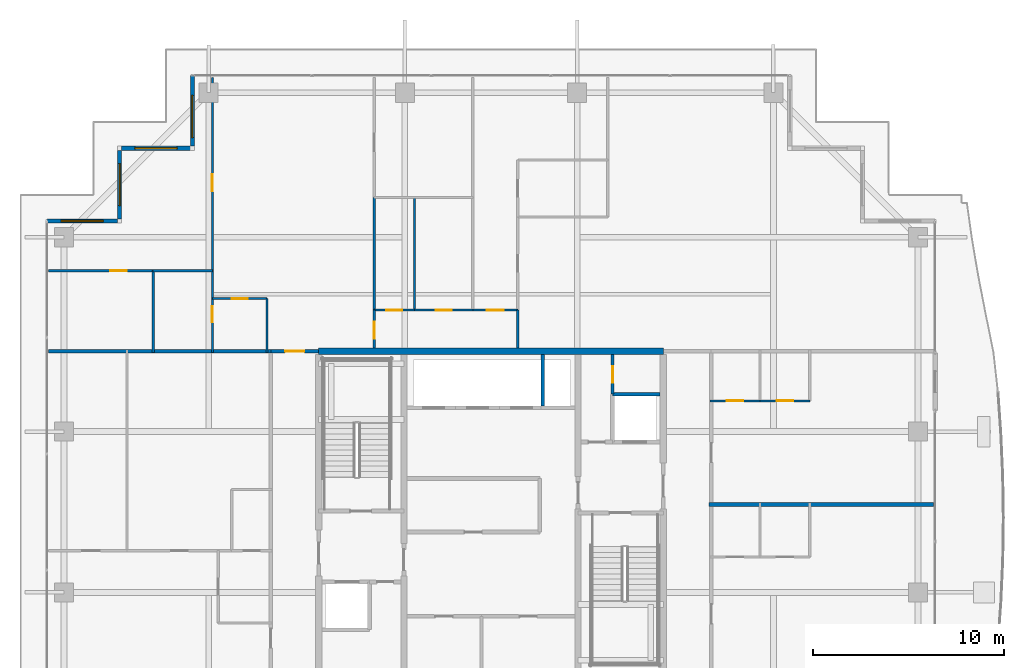
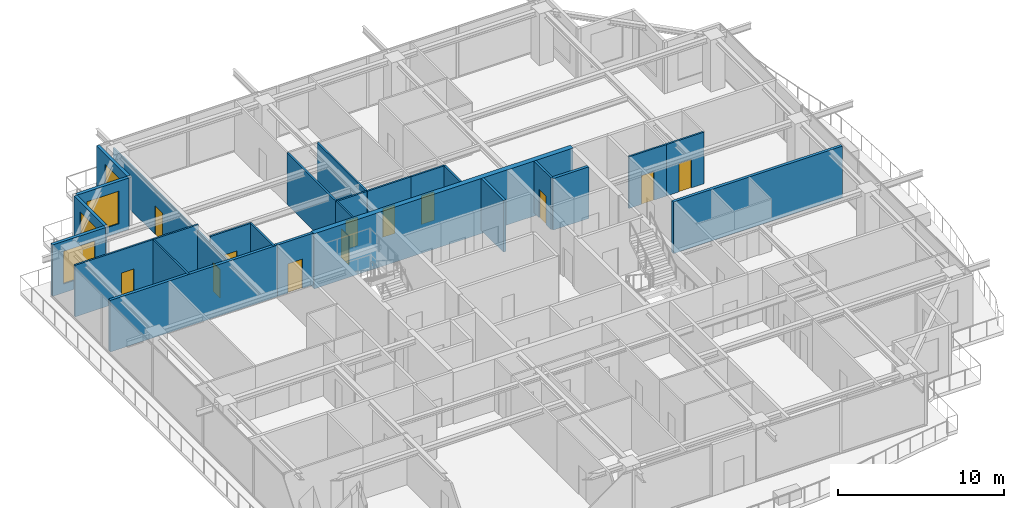
# One storey, part 34 of 42: 27 walls, 12 doors, 4 windows, 16 openings.
"""IFC4 building model written with IfcOpenShell, lengths in metres."""

from ifc_helpers import new_model, si_unit, direction, frame, frame_2d, origin, place, context, subcontext, project, spatial, rectangle, extrude, source, transform, mapped, material, layer, layer_set, type_object, element, fill, save


model = new_model("IFC4")

# Units and contexts
model_context = context("Model", 3, precision=1e-05, world=origin(), true_north=direction((0.0, 1.0)))
body_context = subcontext(model_context, "Body", "Model", "MODEL_VIEW")
ifc_project = project(units=[si_unit("LENGTHUNIT", "METRE"), si_unit("AREAUNIT", "SQUARE_METRE"), si_unit("VOLUMEUNIT", "CUBIC_METRE"), si_unit("PLANEANGLEUNIT", "RADIAN"), si_unit("MASSUNIT", "GRAM", prefix="KILO")], contexts=[model_context])

# Site, building, storey
site_placement = place(None, origin())
site = spatial("IfcSite", under=ifc_project, at=site_placement, CompositionType="ELEMENT")
building_placement = place(site_placement, origin())
building = spatial("IfcBuilding", under=site, at=building_placement, Name="Serunith Strait Residences", CompositionType="ELEMENT")
storey_placement = place(building_placement, frame((0.0, 0.0, 309.64990234375)))
storey = spatial("IfcBuildingStorey", under=building, at=storey_placement, Name="L77", CompositionType="ELEMENT", Elevation=309.64990234375)

# Wall, opening, window
ifc_material_1 = material(Name="Pale-Champagne Aluminium Insulated Panel", Category="aluminium")
ifc_layer_1 = layer(ifc_material_1, 0.219970703125, Name="Pale-Champagne Aluminium Insulated Panel")
ifc_layer_set_1 = layer_set([ifc_layer_1], Name="Pale-Champagne Aluminium Insulated Panel")
wall_type_1 = type_object("IfcWallType", Name="EW-ALUM-220", PredefinedType="ELEMENTEDWALL", material=ifc_layer_set_1)
wall_1_placement = place(storey_placement, frame((16.800048828125, 48.0, 0.0), z_axis=(0.0, 0.0, 1.0), x_axis=(0.0, -1.0, 0.0)))
wall_1 = element("IfcWall", 1, at=wall_1_placement, inside=storey, type_object=wall_type_1, Name="L77 Girih Serrated Corner Wall 12", PredefinedType="ELEMENTEDWALL", context=body_context, shape_type="SweptSolid", body=[
    extrude(rectangle(XDim=3.68994140625, YDim=0.219970703125, at=frame_2d((1.844970703125, 0.0))), origin(), (0.0, 0.0, 1.0), 3.775146484375),
])
opening_1_placement = place(wall_1_placement, frame((1.04296875, 0.0, 0.64990234375)))
opening_1 = element("IfcOpeningElement", 2, at=opening_1_placement, cuts=wall_1, Name="Opening W-06", PredefinedType="OPENING", context=body_context, shape_type="SweptSolid", body=[
    extrude(rectangle(XDim=2.199951171875, YDim=2.39990234375, at=frame_2d((1.10009765625, 1.199951171875))), frame((0.0, 0.1201171875, 0.0), z_axis=(0.0, -1.0, 0.0), x_axis=(1.0, 0.0, 0.0)), (0.0, 0.0, 1.0), 0.239990234375),
])
ifc_material_2 = material(Name="Crown Penthouse Low-E Operable Window Glass", Category="glass")
window_type = type_object("IfcWindowType", Name="WIN-C6", PartitioningType="TRIPLE_PANEL_VERTICAL", PredefinedType="WINDOW", material=ifc_material_2)
shared_shape_1 = source(origin(), body_context, "Body", "SweptSolid", [
    extrude(rectangle(XDim=2.199951171875, YDim=2.39990234375, at=frame_2d((1.10009765625, 1.199951171875))), frame((0.0, 0.030029296875, 0.0), z_axis=(0.0, -1.0, 0.0), x_axis=(1.0, 0.0, 0.0)), (0.0, 0.0, 1.0), 0.06005859375),
])
window_1_placement = place(opening_1_placement, origin())
window_1 = element("IfcWindow", 3, at=window_1_placement, inside=storey, type_object=window_type, Name="L77 Corner Operable Fritted Window 12", OverallHeight=2.39990234375, OverallWidth=2.199951171875, PartitioningType="SINGLE_PANEL", PredefinedType="WINDOW", context=body_context, shape_type="MappedRepresentation", body=[
    mapped(shared_shape_1, transform((0.0, 0.0, 0.0), scale=1.0)),
])
fill(opening_1, window_1)

wall_2_placement = place(storey_placement, frame((16.68994140625, 44.199951171875, 0.0), z_axis=(0.0, 0.0, 1.0), x_axis=(-1.0, 0.0, 0.0)))
wall_2 = element("IfcWall", 4, at=wall_2_placement, inside=storey, type_object=wall_type_1, Name="L77 Girih Serrated Corner Wall 13", PredefinedType="ELEMENTEDWALL", context=body_context, shape_type="SweptSolid", body=[
    extrude(rectangle(XDim=3.579833984375, YDim=0.219970703125, at=frame_2d((1.7900390625, 0.0))), origin(), (0.0, 0.0, 1.0), 3.775146484375),
])
opening_2_placement = place(wall_2_placement, frame((0.68994140625, 0.0, 0.64990234375)))
opening_2 = element("IfcOpeningElement", 5, at=opening_2_placement, cuts=wall_2, Name="Opening W-06", PredefinedType="OPENING", context=body_context, shape_type="SweptSolid", body=[
    extrude(rectangle(XDim=2.199951171875, YDim=2.39990234375, at=frame_2d((1.10009765625, 1.199951171875))), frame((0.0, 0.1201171875, 0.0), z_axis=(0.0, -1.0, 0.0), x_axis=(1.0, 0.0, 0.0)), (0.0, 0.0, 1.0), 0.239990234375),
])
window_2_placement = place(opening_2_placement, origin())
window_2 = element("IfcWindow", 6, at=window_2_placement, inside=storey, type_object=window_type, Name="L77 Corner Operable Fritted Window 13", OverallHeight=2.39990234375, OverallWidth=2.199951171875, PartitioningType="SINGLE_PANEL", PredefinedType="WINDOW", context=body_context, shape_type="MappedRepresentation", body=[
    mapped(shared_shape_1, transform((0.0, 0.0, 0.0), scale=1.0)),
])
fill(opening_2, window_2)

wall_3_placement = place(storey_placement, frame((13.0, 44.090087890625, 0.0), z_axis=(0.0, 0.0, 1.0), x_axis=(0.0, -1.0, 0.0)))
wall_3 = element("IfcWall", 7, at=wall_3_placement, inside=storey, type_object=wall_type_1, Name="L77 Girih Serrated Corner Wall 14", PredefinedType="ELEMENTEDWALL", context=body_context, shape_type="SweptSolid", body=[
    extrude(rectangle(XDim=3.580078125, YDim=0.219970703125, at=frame_2d((1.7900390625, 0.0))), origin(), (0.0, 0.0, 1.0), 3.775146484375),
])
opening_3_placement = place(wall_3_placement, frame((0.68994140625, 0.0, 0.64990234375)))
opening_3 = element("IfcOpeningElement", 8, at=opening_3_placement, cuts=wall_3, Name="Opening W-06", PredefinedType="OPENING", context=body_context, shape_type="SweptSolid", body=[
    extrude(rectangle(XDim=2.199951171875, YDim=2.39990234375, at=frame_2d((1.10009765625, 1.199951171875))), frame((0.0, 0.1201171875, 0.0), z_axis=(0.0, -1.0, 0.0), x_axis=(1.0, 0.0, 0.0)), (0.0, 0.0, 1.0), 0.239990234375),
])
window_3_placement = place(opening_3_placement, origin())
window_3 = element("IfcWindow", 9, at=window_3_placement, inside=storey, type_object=window_type, Name="L77 Corner Operable Fritted Window 14", OverallHeight=2.39990234375, OverallWidth=2.199951171875, PartitioningType="SINGLE_PANEL", PredefinedType="WINDOW", context=body_context, shape_type="MappedRepresentation", body=[
    mapped(shared_shape_1, transform((0.0, 0.0, 0.0), scale=1.0)),
])
fill(opening_3, window_3)

wall_4_placement = place(storey_placement, frame((12.889892578125, 40.39990234375, 0.0), z_axis=(0.0, 0.0, 1.0), x_axis=(-1.0, 0.0, 0.0)))
wall_4 = element("IfcWall", 10, at=wall_4_placement, inside=storey, type_object=wall_type_1, Name="L77 Girih Serrated Corner Wall 15", PredefinedType="ELEMENTEDWALL", context=body_context, shape_type="SweptSolid", body=[
    extrude(rectangle(XDim=3.68994140625, YDim=0.219970703125, at=frame_2d((1.844970703125, 0.0))), origin(), (0.0, 0.0, 1.0), 3.775146484375),
])
opening_4_placement = place(wall_4_placement, frame((0.7451171875, 0.0, 0.64990234375)))
opening_4 = element("IfcOpeningElement", 11, at=opening_4_placement, cuts=wall_4, Name="Opening W-06", PredefinedType="OPENING", context=body_context, shape_type="SweptSolid", body=[
    extrude(rectangle(XDim=2.199951171875, YDim=2.39990234375, at=frame_2d((1.10009765625, 1.199951171875))), frame((0.0, 0.1201171875, 0.0), z_axis=(0.0, -1.0, 0.0), x_axis=(1.0, 0.0, 0.0)), (0.0, 0.0, 1.0), 0.239990234375),
])
window_4_placement = place(opening_4_placement, origin())
window_4 = element("IfcWindow", 12, at=window_4_placement, inside=storey, type_object=window_type, Name="L77 Corner Operable Fritted Window 15", OverallHeight=2.39990234375, OverallWidth=2.199951171875, PartitioningType="SINGLE_PANEL", PredefinedType="WINDOW", context=body_context, shape_type="MappedRepresentation", body=[
    mapped(shared_shape_1, transform((0.0, 0.0, 0.0), scale=1.0)),
])
fill(opening_4, window_4)

# Wall, opening, door
ifc_material_3 = material(Name="Fire-rated masonry service closet wall", Category="masonry")
ifc_layer_2 = layer(ifc_material_3, 0.14990234375, Name="Fire-rated masonry service closet wall")
ifc_layer_set_2 = layer_set([ifc_layer_2], Name="Fire-rated masonry service closet wall")
wall_type_2 = type_object("IfcWallType", Name="IW-BOH-150", PredefinedType="PARTITIONING", material=ifc_layer_set_2)
wall_5_placement = place(storey_placement, frame((38.75, 31.35205078125, 0.0), z_axis=(0.0, 0.0, 1.0), x_axis=(0.0, 1.0, 0.0)))
wall_5 = element("IfcWall", 13, at=wall_5_placement, inside=storey, type_object=wall_type_2, Name="L77 Partition Wall 011", PredefinedType="PARTITIONING", context=body_context, shape_type="SweptSolid", body=[
    extrude(rectangle(XDim=2.072998046875, YDim=0.14990234375, at=frame_2d((1.03662109375, 0.0))), origin(), (0.0, 0.0, 1.0), 3.7900390625),
])
opening_5_placement = place(wall_5_placement, frame((0.611083984375, 0.0, 0.0)))
opening_5 = element("IfcOpeningElement", 14, at=opening_5_placement, cuts=wall_5, Name="Opening FD-850", PredefinedType="OPENING", context=body_context, shape_type="SweptSolid", body=[
    extrude(rectangle(XDim=0.85009765625, YDim=2.10009765625, at=frame_2d((0.425048828125, 1.050048828125))), frame((0.0, 0.0849609375, 0.0), z_axis=(0.0, -1.0, 0.0), x_axis=(1.0, 0.0, 0.0)), (0.0, 0.0, 1.0), 0.169921875),
])
ifc_material_4 = material(Name="Powder-coated steel service closet door", Category="steel")
door_type_1 = type_object("IfcDoorType", Name="FD-BOH-850", OperationType="NOTDEFINED", PredefinedType="DOOR", material=ifc_material_4)
shared_shape_2 = source(origin(), body_context, "Body", "SweptSolid", [
    extrude(rectangle(XDim=0.85009765625, YDim=2.10009765625, at=frame_2d((0.425048828125, 1.050048828125))), frame((0.0, 0.02490234375, 0.0), z_axis=(0.0, -1.0, 0.0), x_axis=(1.0, 0.0, 0.0)), (0.0, 0.0, 1.0), 0.050048828125),
])
door_1_placement = place(opening_5_placement, origin())
door_1 = element("IfcDoor", 15, at=door_1_placement, inside=storey, type_object=door_type_1, Name="L77 ELV Data Closet Door", OperationType="SINGLE_SWING_RIGHT", OverallHeight=2.10009765625, OverallWidth=0.85009765625, PredefinedType="DOOR", context=body_context, shape_type="MappedRepresentation", body=[
    mapped(shared_shape_2, transform((0.0, 0.0, 0.0), scale=1.0)),
])
fill(opening_5, door_1)

ifc_material_5 = material(Name="Fire-rated acoustic gypsum partition")
ifc_layer_3 = layer(ifc_material_5, 0.179931640625, Name="Fire-rated acoustic gypsum partition")
ifc_layer_set_3 = layer_set([ifc_layer_3], Name="Fire-rated acoustic gypsum partition")
wall_type_3 = type_object("IfcWallType", Name="IW-CORR-180", PredefinedType="PARTITIONING", material=ifc_layer_set_3)
wall_6_placement = place(storey_placement, frame((20.902099609375, 33.60009765625, 0.0), z_axis=(0.0, 0.0, 1.0), x_axis=(1.0, 0.0, 0.0)))
wall_6 = element("IfcWall", 16, at=wall_6_placement, inside=storey, type_object=wall_type_3, Name="L77 Partition Wall 025", PredefinedType="PARTITIONING", context=body_context, shape_type="SweptSolid", body=[
    extrude(rectangle(XDim=2.495849609375, YDim=0.179931640625, at=frame_2d((1.248046875, 0.0))), origin(), (0.0, 0.0, 1.0), 3.7900390625),
])
opening_6_placement = place(wall_6_placement, frame((0.748046875, 0.0, 0.0)))
opening_6 = element("IfcOpeningElement", 17, at=opening_6_placement, cuts=wall_6, Name="Opening D-APT1000", PredefinedType="OPENING", context=body_context, shape_type="SweptSolid", body=[
    extrude(rectangle(XDim=1.0, YDim=2.14990234375, at=frame_2d((0.5, 1.074951171875))), frame((0.0, 0.10009765625, 0.0), z_axis=(0.0, -1.0, 0.0), x_axis=(1.0, 0.0, 0.0)), (0.0, 0.0, 1.0), 0.199951171875),
])
ifc_material_6 = material(Name="Solid timber engineered fire door", Category="wood")
door_type_2 = type_object("IfcDoorType", Name="ID-APT-1000", OperationType="NOTDEFINED", PredefinedType="DOOR", material=ifc_material_6)
shared_shape_3 = source(origin(), body_context, "Body", "SweptSolid", [
    extrude(rectangle(XDim=1.0, YDim=2.14990234375, at=frame_2d((0.5, 1.074951171875))), frame((0.0, 0.02490234375, 0.0), z_axis=(0.0, -1.0, 0.0), x_axis=(1.0, 0.0, 0.0)), (0.0, 0.0, 1.0), 0.050048828125),
])
door_2_placement = place(opening_6_placement, origin())
door_2 = element("IfcDoor", 18, at=door_2_placement, inside=storey, type_object=door_type_2, Name="L77 Unit 03 Entrance Door", OperationType="SINGLE_SWING_LEFT", OverallHeight=2.14990234375, OverallWidth=1.0, PredefinedType="DOOR", context=body_context, shape_type="MappedRepresentation", body=[
    mapped(shared_shape_3, transform((0.0, 0.0, 0.0), scale=1.0)),
])
fill(opening_6, door_2)

ifc_material_7 = material(Name="Lightweight steel-stud gypsum partition", Category="steel")
ifc_layer_4 = layer(ifc_material_7, 0.1201171875, Name="Lightweight steel-stud gypsum partition")
ifc_layer_set_4 = layer_set([ifc_layer_4], Name="Lightweight steel-stud gypsum partition")
wall_type_4 = type_object("IfcWallType", Name="IW-PART-120", PredefinedType="PARTITIONING", material=ifc_layer_set_4)
wall_7_placement = place(storey_placement, frame((17.85009765625, 36.35009765625, 0.0), z_axis=(0.0, 0.0, 1.0), x_axis=(1.0, 0.0, 0.0)))
wall_7 = element("IfcWall", 19, at=wall_7_placement, inside=storey, type_object=wall_type_4, Name="L77 Partition Wall 059", PredefinedType="PARTITIONING", context=body_context, shape_type="SweptSolid", body=[
    extrude(rectangle(XDim=2.849853515625, YDim=0.1201171875, at=frame_2d((1.4248046875, 0.0))), origin(), (0.0, 0.0, 1.0), 3.7900390625),
])
opening_7_placement = place(wall_7_placement, frame((1.0, 0.0, 0.0)))
opening_7 = element("IfcOpeningElement", 20, at=opening_7_placement, cuts=wall_7, Name="Opening D-RM850", PredefinedType="OPENING", context=body_context, shape_type="SweptSolid", body=[
    extrude(rectangle(XDim=0.85009765625, YDim=2.10009765625, at=frame_2d((0.425048828125, 1.050048828125))), frame((0.0, 0.070068359375, 0.0), z_axis=(0.0, -1.0, 0.0), x_axis=(1.0, 0.0, 0.0)), (0.0, 0.0, 1.0), 0.14013671875),
])
ifc_material_8 = material(Name="Engineered timber flush study and kitchen door", Category="wood")
door_type_3 = type_object("IfcDoorType", Name="ID-ROOM-850", OperationType="NOTDEFINED", PredefinedType="DOOR", material=ifc_material_8)
door_3_placement = place(opening_7_placement, origin())
door_3 = element("IfcDoor", 21, at=door_3_placement, inside=storey, type_object=door_type_3, Name="L77 Kitchen 7703 Door", OperationType="SINGLE_SWING_LEFT", OverallHeight=2.10009765625, OverallWidth=0.85009765625, PredefinedType="DOOR", context=body_context, shape_type="MappedRepresentation", body=[
    mapped(shared_shape_2, transform((0.0, 0.0, 0.0), scale=1.0)),
])
fill(opening_7, door_3)

# Wall
wall_8_placement = place(storey_placement, frame((20.699951171875, 36.35009765625, 0.0), z_axis=(0.0, 0.0, 1.0), x_axis=(0.0, -1.0, 0.0)))
element("IfcWall", 22, at=wall_8_placement, inside=storey, type_object=wall_type_4, Name="L77 Partition Wall 060", PredefinedType="PARTITIONING", context=body_context, shape_type="SweptSolid", body=[
    extrude(rectangle(XDim=2.81005859375, YDim=0.1201171875, at=frame_2d((1.405029296875, 0.0))), origin(), (0.0, 0.0, 1.0), 3.7900390625),
])

# Wall, opening, door
wall_9_placement = place(storey_placement, frame((17.85009765625, 47.905029296875, 0.0), z_axis=(0.0, 0.0, 1.0), x_axis=(0.0, -1.0, 0.0)))
wall_9 = element("IfcWall", 23, at=wall_9_placement, inside=storey, type_object=wall_type_4, Name="L77 Partition Wall 061", PredefinedType="PARTITIONING", context=body_context, shape_type="SweptSolid", body=[
    extrude(rectangle(XDim=10.09814453125, YDim=0.1201171875, at=frame_2d((5.049072265625, 0.0))), origin(), (0.0, 0.0, 1.0), 3.2919921875),
])
opening_8_placement = place(wall_9_placement, frame((5.05908203125, 0.0, 0.0)))
opening_8 = element("IfcOpeningElement", 24, at=opening_8_placement, cuts=wall_9, Name="Opening D-RM900", PredefinedType="OPENING", context=body_context, shape_type="SweptSolid", body=[
    extrude(rectangle(XDim=0.89990234375, YDim=2.10009765625, at=frame_2d((0.449951171875, 1.050048828125))), frame((0.0, 0.070068359375, 0.0), z_axis=(0.0, -1.0, 0.0), x_axis=(1.0, 0.0, 0.0)), (0.0, 0.0, 1.0), 0.14013671875),
])
ifc_material_9 = material(Name="Engineered timber flush bedroom door", Category="wood")
door_type_4 = type_object("IfcDoorType", Name="ID-ROOM-900", OperationType="NOTDEFINED", PredefinedType="DOOR", material=ifc_material_9)
shared_shape_4 = source(origin(), body_context, "Body", "SweptSolid", [
    extrude(rectangle(XDim=0.89990234375, YDim=2.10009765625, at=frame_2d((0.449951171875, 1.050048828125))), frame((0.0, 0.02490234375, 0.0), z_axis=(0.0, -1.0, 0.0), x_axis=(1.0, 0.0, 0.0)), (0.0, 0.0, 1.0), 0.050048828125),
])
door_4_placement = place(opening_8_placement, origin())
door_4 = element("IfcDoor", 25, at=door_4_placement, inside=storey, type_object=door_type_4, Name="L77 Master Bedroom 1 7703 Door", OperationType="SINGLE_SWING_RIGHT", OverallHeight=2.10009765625, OverallWidth=0.89990234375, PredefinedType="DOOR", context=body_context, shape_type="MappedRepresentation", body=[
    mapped(shared_shape_4, transform((0.0, 0.0, 0.0), scale=1.0)),
])
fill(opening_8, door_4)

wall_10_placement = place(storey_placement, frame((9.294921875, 37.806884765625, 0.0), z_axis=(0.0, 0.0, 1.0), x_axis=(1.0, 0.0, 0.0)))
wall_10 = element("IfcWall", 26, at=wall_10_placement, inside=storey, type_object=wall_type_4, Name="L77 Partition Wall 062", PredefinedType="PARTITIONING", context=body_context, shape_type="SweptSolid", body=[
    extrude(rectangle(XDim=5.455078125, YDim=0.1201171875, at=frame_2d((2.7275390625, 0.0))), origin(), (0.0, 0.0, 1.0), 3.7900390625),
])
opening_9_placement = place(wall_10_placement, frame((3.22412109375, 0.0, 0.0)))
opening_9 = element("IfcOpeningElement", 27, at=opening_9_placement, cuts=wall_10, Name="Opening D-RM850", PredefinedType="OPENING", context=body_context, shape_type="SweptSolid", body=[
    extrude(rectangle(XDim=0.85009765625, YDim=2.10009765625, at=frame_2d((0.425048828125, 1.050048828125))), frame((0.0, 0.070068359375, 0.0), z_axis=(0.0, -1.0, 0.0), x_axis=(1.0, 0.0, 0.0)), (0.0, 0.0, 1.0), 0.14013671875),
])
door_5_placement = place(opening_9_placement, origin())
door_5 = element("IfcDoor", 28, at=door_5_placement, inside=storey, type_object=door_type_3, Name="L77 Wardrobe 7703 Door", OperationType="SINGLE_SWING_LEFT", OverallHeight=2.10009765625, OverallWidth=0.85009765625, PredefinedType="DOOR", context=body_context, shape_type="MappedRepresentation", body=[
    mapped(shared_shape_2, transform((0.0, 0.0, 0.0), scale=1.0)),
])
fill(opening_9, door_5)

# Walls
wall_11_placement = place(storey_placement, frame((14.751953125, 37.806884765625, 0.0), z_axis=(0.0, 0.0, 1.0), x_axis=(1.0, 0.0, 0.0)))
element("IfcWall", 29, at=wall_11_placement, inside=storey, type_object=wall_type_4, Name="L77 Partition Wall 063", PredefinedType="PARTITIONING", context=body_context, shape_type="SweptSolid", body=[
    extrude(rectangle(XDim=3.09814453125, YDim=0.1201171875, at=frame_2d((1.549072265625, 0.0))), origin(), (0.0, 0.0, 1.0), 3.7900390625),
])
wall_12_placement = place(storey_placement, frame((14.75, 37.806884765625, 0.0), z_axis=(0.0, 0.0, 1.0), x_axis=(0.0, -1.0, 0.0)))
element("IfcWall", 30, at=wall_12_placement, inside=storey, type_object=wall_type_4, Name="L77 Partition Wall 064", PredefinedType="PARTITIONING", context=body_context, shape_type="SweptSolid", body=[
    extrude(rectangle(XDim=4.266845703125, YDim=0.1201171875, at=frame_2d((2.13330078125, 0.0))), origin(), (0.0, 0.0, 1.0), 3.7900390625),
])

# Wall, opening, door
wall_13_placement = place(storey_placement, frame((17.85009765625, 37.804931640625, 0.0), z_axis=(0.0, 0.0, 1.0), x_axis=(0.0, -1.0, 0.0)))
wall_13 = element("IfcWall", 31, at=wall_13_placement, inside=storey, type_object=wall_type_4, Name="L77 Partition Wall 065", PredefinedType="PARTITIONING", context=body_context, shape_type="SweptSolid", body=[
    extrude(rectangle(XDim=4.264892578125, YDim=0.1201171875, at=frame_2d((2.13232421875, 0.0))), origin(), (0.0, 0.0, 1.0), 3.3720703125),
])
opening_10_placement = place(wall_13_placement, frame((1.847900390625, 0.0, 0.0)))
opening_10 = element("IfcOpeningElement", 32, at=opening_10_placement, cuts=wall_13, Name="Opening D-BTH850", PredefinedType="OPENING", context=body_context, shape_type="SweptSolid", body=[
    extrude(rectangle(XDim=0.85009765625, YDim=2.10009765625, at=frame_2d((0.425048828125, 1.050048828125))), frame((0.0, 0.070068359375, 0.0), z_axis=(0.0, -1.0, 0.0), x_axis=(1.0, 0.0, 0.0)), (0.0, 0.0, 1.0), 0.14013671875),
])
ifc_material_10 = material(Name="Moisture-resistant timber bathroom door", Category="wood")
door_type_5 = type_object("IfcDoorType", Name="ID-BATH-850", OperationType="NOTDEFINED", PredefinedType="DOOR", material=ifc_material_10)
door_6_placement = place(opening_10_placement, origin())
door_6 = element("IfcDoor", 33, at=door_6_placement, inside=storey, type_object=door_type_5, Name="L77 Bathroom 7703 Door", OperationType="SINGLE_SWING_RIGHT", OverallHeight=2.10009765625, OverallWidth=0.85009765625, PredefinedType="DOOR", context=body_context, shape_type="MappedRepresentation", body=[
    mapped(shared_shape_2, transform((0.0, 0.0, 0.0), scale=1.0)),
])
fill(opening_10, door_6)

wall_14_placement = place(storey_placement, frame((26.300048828125, 35.75, 0.0), z_axis=(0.0, 0.0, 1.0), x_axis=(0.0, -1.0, 0.0)))
wall_14 = element("IfcWall", 34, at=wall_14_placement, inside=storey, type_object=wall_type_4, Name="L77 Partition Wall 066", PredefinedType="PARTITIONING", context=body_context, shape_type="SweptSolid", body=[
    extrude(rectangle(XDim=1.97509765625, YDim=0.1201171875, at=frame_2d((0.987548828125, 0.0))), origin(), (0.0, 0.0, 1.0), 3.7900390625),
])
opening_11_placement = place(wall_14_placement, frame((0.60107421875, 0.0, 0.0)))
opening_11 = element("IfcOpeningElement", 35, at=opening_11_placement, cuts=wall_14, Name="Opening D-RM900", PredefinedType="OPENING", context=body_context, shape_type="SweptSolid", body=[
    extrude(rectangle(XDim=0.89990234375, YDim=2.10009765625, at=frame_2d((0.449951171875, 1.050048828125))), frame((0.0, 0.070068359375, 0.0), z_axis=(0.0, -1.0, 0.0), x_axis=(1.0, 0.0, 0.0)), (0.0, 0.0, 1.0), 0.14013671875),
])
door_7_placement = place(opening_11_placement, origin())
door_7 = element("IfcDoor", 36, at=door_7_placement, inside=storey, type_object=door_type_4, Name="L77 Hall E 7703 Door", OperationType="SINGLE_SWING_LEFT", OverallHeight=2.10009765625, OverallWidth=0.89990234375, PredefinedType="DOOR", context=body_context, shape_type="MappedRepresentation", body=[
    mapped(shared_shape_4, transform((0.0, 0.0, 0.0), scale=1.0)),
])
fill(opening_11, door_7)

# Walls
wall_15_placement = place(storey_placement, frame((26.300048828125, 41.6279296875, 0.0), z_axis=(0.0, 0.0, 1.0), x_axis=(0.0, -1.0, 0.0)))
element("IfcWall", 37, at=wall_15_placement, inside=storey, type_object=wall_type_4, Name="L77 Partition Wall 068", PredefinedType="PARTITIONING", context=body_context, shape_type="SweptSolid", body=[
    extrude(rectangle(XDim=5.8759765625, YDim=0.1201171875, at=frame_2d((2.93798828125, 0.0))), origin(), (0.0, 0.0, 1.0), 3.7900390625),
])
wall_16_placement = place(storey_placement, frame((28.39990234375, 41.6298828125, 0.0), z_axis=(0.0, 0.0, 1.0), x_axis=(0.0, -1.0, 0.0)))
element("IfcWall", 38, at=wall_16_placement, inside=storey, type_object=wall_type_4, Name="L77 Partition Wall 071", PredefinedType="PARTITIONING", context=body_context, shape_type="SweptSolid", body=[
    extrude(rectangle(XDim=5.8798828125, YDim=0.1201171875, at=frame_2d((2.93994140625, 0.0))), origin(), (0.0, 0.0, 1.0), 3.7900390625),
])

# Wall, opening, door
wall_17_placement = place(storey_placement, frame((26.300048828125, 35.75, 0.0), z_axis=(0.0, 0.0, 1.0), x_axis=(1.0, 0.0, 0.0)))
wall_17 = element("IfcWall", 39, at=wall_17_placement, inside=storey, type_object=wall_type_4, Name="L77 Partition Wall 072", PredefinedType="PARTITIONING", context=body_context, shape_type="SweptSolid", body=[
    extrude(rectangle(XDim=2.099853515625, YDim=0.1201171875, at=frame_2d((1.0498046875, 0.0))), origin(), (0.0, 0.0, 1.0), 3.7900390625),
])
opening_12_placement = place(wall_17_placement, frame((0.625, 0.0, 0.0)))
opening_12 = element("IfcOpeningElement", 40, at=opening_12_placement, cuts=wall_17, Name="Opening D-RM850", PredefinedType="OPENING", context=body_context, shape_type="SweptSolid", body=[
    extrude(rectangle(XDim=0.85009765625, YDim=2.10009765625, at=frame_2d((0.425048828125, 1.050048828125))), frame((0.0, 0.070068359375, 0.0), z_axis=(0.0, -1.0, 0.0), x_axis=(1.0, 0.0, 0.0)), (0.0, 0.0, 1.0), 0.14013671875),
])
door_8_placement = place(opening_12_placement, origin())
door_8 = element("IfcDoor", 41, at=door_8_placement, inside=storey, type_object=door_type_3, Name="L77 Study 7703 Door", OperationType="SINGLE_SWING_LEFT", OverallHeight=2.10009765625, OverallWidth=0.85009765625, PredefinedType="DOOR", context=body_context, shape_type="MappedRepresentation", body=[
    mapped(shared_shape_2, transform((0.0, 0.0, 0.0), scale=1.0)),
])
fill(opening_12, door_8)

wall_18_placement = place(storey_placement, frame((28.402099609375, 35.75, 0.0), z_axis=(0.0, 0.0, 1.0), x_axis=(1.0, 0.0, 0.0)))
wall_18 = element("IfcWall", 42, at=wall_18_placement, inside=storey, type_object=wall_type_4, Name="L77 Partition Wall 073", PredefinedType="PARTITIONING", context=body_context, shape_type="SweptSolid", body=[
    extrude(rectangle(XDim=3.0478515625, YDim=0.1201171875, at=frame_2d((1.52392578125, 0.0))), origin(), (0.0, 0.0, 1.0), 3.7900390625),
])
opening_13_placement = place(wall_18_placement, frame((1.09912109375, 0.0, 0.0)))
opening_13 = element("IfcOpeningElement", 43, at=opening_13_placement, cuts=wall_18, Name="Opening D-RM850", PredefinedType="OPENING", context=body_context, shape_type="SweptSolid", body=[
    extrude(rectangle(XDim=0.85009765625, YDim=2.10009765625, at=frame_2d((0.425048828125, 1.050048828125))), frame((0.0, 0.070068359375, 0.0), z_axis=(0.0, -1.0, 0.0), x_axis=(1.0, 0.0, 0.0)), (0.0, 0.0, 1.0), 0.14013671875),
])
door_9_placement = place(opening_13_placement, origin())
door_9 = element("IfcDoor", 44, at=door_9_placement, inside=storey, type_object=door_type_3, Name="L77 Formal Dining Room 7703 Door", OperationType="SINGLE_SWING_RIGHT", OverallHeight=2.10009765625, OverallWidth=0.85009765625, PredefinedType="DOOR", context=body_context, shape_type="MappedRepresentation", body=[
    mapped(shared_shape_2, transform((0.0, 0.0, 0.0), scale=1.0)),
])
fill(opening_13, door_9)

wall_19_placement = place(storey_placement, frame((31.451904296875, 35.75, 0.0), z_axis=(0.0, 0.0, 1.0), x_axis=(1.0, 0.0, 0.0)))
wall_19 = element("IfcWall", 45, at=wall_19_placement, inside=storey, type_object=wall_type_4, Name="L77 Partition Wall 074", PredefinedType="PARTITIONING", context=body_context, shape_type="SweptSolid", body=[
    extrude(rectangle(XDim=2.34814453125, YDim=0.1201171875, at=frame_2d((1.174072265625, 0.0))), origin(), (0.0, 0.0, 1.0), 3.7900390625),
])
opening_14_placement = place(wall_19_placement, frame((0.72412109375, 0.0, 0.0)))
opening_14 = element("IfcOpeningElement", 46, at=opening_14_placement, cuts=wall_19, Name="Opening D-RM900", PredefinedType="OPENING", context=body_context, shape_type="SweptSolid", body=[
    extrude(rectangle(XDim=0.89990234375, YDim=2.10009765625, at=frame_2d((0.449951171875, 1.050048828125))), frame((0.0, 0.070068359375, 0.0), z_axis=(0.0, -1.0, 0.0), x_axis=(1.0, 0.0, 0.0)), (0.0, 0.0, 1.0), 0.14013671875),
])
door_10_placement = place(opening_14_placement, origin())
door_10 = element("IfcDoor", 47, at=door_10_placement, inside=storey, type_object=door_type_4, Name="L77 Master Bedroom E 7703 Door", OperationType="SINGLE_SWING_LEFT", OverallHeight=2.10009765625, OverallWidth=0.89990234375, PredefinedType="DOOR", context=body_context, shape_type="MappedRepresentation", body=[
    mapped(shared_shape_4, transform((0.0, 0.0, 0.0), scale=1.0)),
])
fill(opening_14, door_10)

# Wall
wall_20_placement = place(storey_placement, frame((33.800048828125, 35.748046875, 0.0), z_axis=(0.0, 0.0, 1.0), x_axis=(0.0, -1.0, 0.0)))
element("IfcWall", 48, at=wall_20_placement, inside=storey, type_object=wall_type_4, Name="L77 Partition Wall 080", PredefinedType="PARTITIONING", context=body_context, shape_type="SweptSolid", body=[
    extrude(rectangle(XDim=1.97314453125, YDim=0.1201171875, at=frame_2d((0.986572265625, 0.0))), origin(), (0.0, 0.0, 1.0), 3.7900390625),
])

# Wall, opening, door
wall_21_placement = place(storey_placement, frame((49.050048828125, 31.0, 0.0), z_axis=(0.0, 0.0, 1.0), x_axis=(-1.0, 0.0, 0.0)))
wall_21 = element("IfcWall", 49, at=wall_21_placement, inside=storey, type_object=wall_type_4, Name="L77 Partition Wall 093", PredefinedType="PARTITIONING", context=body_context, shape_type="SweptSolid", body=[
    extrude(rectangle(XDim=2.60009765625, YDim=0.1201171875, at=frame_2d((1.300048828125, 0.0))), origin(), (0.0, 0.0, 1.0), 3.7900390625),
])
opening_15_placement = place(wall_21_placement, frame((0.875, 0.0, 0.0)))
opening_15 = element("IfcOpeningElement", 50, at=opening_15_placement, cuts=wall_21, Name="Opening D-RM850", PredefinedType="OPENING", context=body_context, shape_type="SweptSolid", body=[
    extrude(rectangle(XDim=0.85009765625, YDim=2.10009765625, at=frame_2d((0.425048828125, 1.050048828125))), frame((0.0, 0.070068359375, 0.0), z_axis=(0.0, -1.0, 0.0), x_axis=(1.0, 0.0, 0.0)), (0.0, 0.0, 1.0), 0.14013671875),
])
door_11_placement = place(opening_15_placement, origin())
door_11 = element("IfcDoor", 51, at=door_11_placement, inside=storey, type_object=door_type_3, Name="L77 Kitchen 7706 Door", OperationType="SINGLE_SWING_RIGHT", OverallHeight=2.10009765625, OverallWidth=0.85009765625, PredefinedType="DOOR", context=body_context, shape_type="MappedRepresentation", body=[
    mapped(shared_shape_2, transform((0.0, 0.0, 0.0), scale=1.0)),
])
fill(opening_15, door_11)

wall_22_placement = place(storey_placement, frame((46.447998046875, 31.0, 0.0), z_axis=(0.0, 0.0, 1.0), x_axis=(-1.0, 0.0, 0.0)))
wall_22 = element("IfcWall", 52, at=wall_22_placement, inside=storey, type_object=wall_type_4, Name="L77 Partition Wall 094", PredefinedType="PARTITIONING", context=body_context, shape_type="SweptSolid", body=[
    extrude(rectangle(XDim=2.60791015625, YDim=0.1201171875, at=frame_2d((1.303955078125, 0.0))), origin(), (0.0, 0.0, 1.0), 3.7900390625),
])
opening_16_placement = place(wall_22_placement, frame((0.87890625, 0.0, 0.0)))
opening_16 = element("IfcOpeningElement", 53, at=opening_16_placement, cuts=wall_22, Name="Opening D-BTH850", PredefinedType="OPENING", context=body_context, shape_type="SweptSolid", body=[
    extrude(rectangle(XDim=0.85009765625, YDim=2.10009765625, at=frame_2d((0.425048828125, 1.050048828125))), frame((0.0, 0.070068359375, 0.0), z_axis=(0.0, -1.0, 0.0), x_axis=(1.0, 0.0, 0.0)), (0.0, 0.0, 1.0), 0.14013671875),
])
door_12_placement = place(opening_16_placement, origin())
door_12 = element("IfcDoor", 54, at=door_12_placement, inside=storey, type_object=door_type_5, Name="L77 Bathroom 7706 Door", OperationType="SINGLE_SWING_LEFT", OverallHeight=2.10009765625, OverallWidth=0.85009765625, PredefinedType="DOOR", context=body_context, shape_type="MappedRepresentation", body=[
    mapped(shared_shape_2, transform((0.0, 0.0, 0.0), scale=1.0)),
])
fill(opening_16, door_12)

# Walls
ifc_material_11 = material(Name="Twin-stud acoustic gypsum board partition")
ifc_layer_5 = layer(ifc_material_11, 0.199951171875, Name="Twin-stud acoustic gypsum board partition")
ifc_layer_set_5 = layer_set([ifc_layer_5], Name="Twin-stud acoustic gypsum board partition")
wall_type_5 = type_object("IfcWallType", Name="IW-PARTY-200", PredefinedType="PARTITIONING", material=ifc_layer_set_5)
wall_23_placement = place(storey_placement, frame((43.780029296875, 25.60009765625, 0.0), z_axis=(0.0, 0.0, 1.0), x_axis=(1.0, 0.0, 0.0)))
element("IfcWall", 55, at=wall_23_placement, inside=storey, type_object=wall_type_5, Name="L77 Partition Wall 019", PredefinedType="PARTITIONING", context=body_context, shape_type="SweptSolid", body=[
    extrude(rectangle(XDim=11.738037109375, YDim=0.199951171875, at=frame_2d((5.869140625, 0.0))), origin(), (0.0, 0.0, 1.0), 3.7900390625),
])
wall_24_placement = place(storey_placement, frame((9.281982421875, 33.60009765625, 0.0), z_axis=(0.0, 0.0, 1.0), x_axis=(1.0, 0.0, 0.0)))
element("IfcWall", 56, at=wall_24_placement, inside=storey, type_object=wall_type_5, Name="L77 Partition Wall 022", PredefinedType="PARTITIONING", context=body_context, shape_type="SweptSolid", body=[
    extrude(rectangle(XDim=11.617919921875, YDim=0.199951171875, at=frame_2d((5.80908203125, 0.0))), origin(), (0.0, 0.0, 1.0), 3.7900390625),
])
ifc_material_12 = material(Name="Autoclaved aerated concrete blockwork", Category="masonry")
ifc_layer_6 = layer(ifc_material_12, 0.199951171875, Name="Autoclaved aerated concrete blockwork")
ifc_layer_set_6 = layer_set([ifc_layer_6], Name="Autoclaved aerated concrete blockwork")
wall_type_6 = type_object("IfcWallType", Name="IW-SHAFT-200", PredefinedType="STANDARD", material=ifc_layer_set_6)
wall_25_placement = place(storey_placement, frame((35.10009765625, 30.75, 0.0), z_axis=(0.0, 0.0, 1.0), x_axis=(0.0, 1.0, 0.0)))
element("IfcWall", 57, at=wall_25_placement, inside=storey, type_object=wall_type_6, Name="L77 SL-1 West Shaft Wall", PredefinedType="STANDARD", context=body_context, shape_type="SweptSolid", body=[
    extrude(rectangle(XDim=2.675048828125, YDim=0.199951171875, at=frame_2d((1.33740234375, 0.0))), origin(), (0.0, 0.0, 1.0), 3.7900390625),
])
wall_26_placement = place(storey_placement, frame((38.75, 31.35009765625, 0.0), z_axis=(0.0, 0.0, 1.0), x_axis=(1.0, 0.0, 0.0)))
element("IfcWall", 58, at=wall_26_placement, inside=storey, type_object=wall_type_6, Name="L77 Partition Wall 005", PredefinedType="STANDARD", context=body_context, shape_type="SweptSolid", body=[
    extrude(rectangle(XDim=2.47509765625, YDim=0.199951171875, at=frame_2d((1.237548828125, 0.0))), origin(), (0.0, 0.0, 1.0), 3.7900390625),
])
ifc_material_13 = material(Name="Concrete C60/75", Category="concrete")
ifc_layer_7 = layer(ifc_material_13, 0.35009765625, Name="Concrete C60/75")
ifc_layer_set_7 = layer_set([ifc_layer_7], Name="Concrete C60/75")
wall_type_7 = type_object("IfcWallType", Name="SW-350-C60", PredefinedType="SHEAR", material=ifc_layer_set_7)
wall_27_placement = place(storey_placement, frame((41.39990234375, 33.60009765625, -0.260009765625), z_axis=(0.0, 0.0, 1.0), x_axis=(-1.0, 0.0, 0.0)))
element("IfcWall", 59, at=wall_27_placement, inside=storey, type_object=wall_type_7, Name="L77 Core North Shear Wall", PredefinedType="SHEAR", context=body_context, shape_type="SweptSolid", body=[
    extrude(rectangle(XDim=18.0, YDim=0.35009765625, at=frame_2d((9.0, 0.0))), origin(), (0.0, 0.0, 1.0), 4.048095703125),
])

save(model, "model.ifc")
